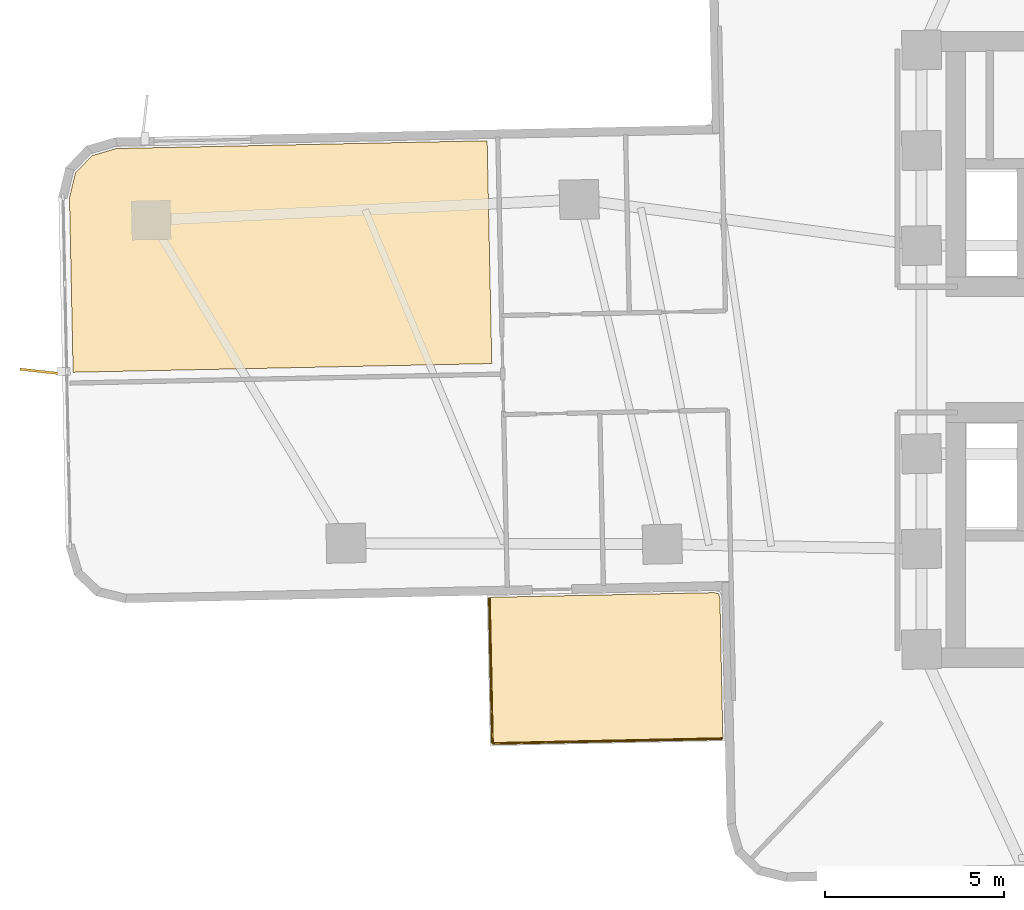
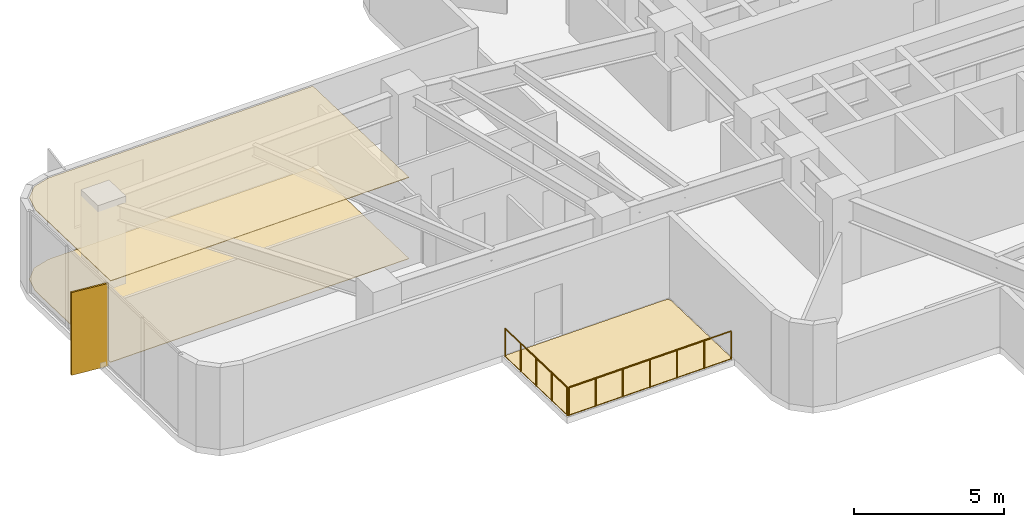
# One storey, part 12 of 15: 3 coverings, 2 railings, 1 shading device.
"""IFC4 building model written with IfcOpenShell, lengths in metres."""

from ifc_helpers import new_model, si_unit, direction, frame, origin, origin_2d, place, context, subcontext, project, spatial, polyline, rectangle, circle, outline, extrude, material, layer, layer_set, type_object, element, save


model = new_model("IFC4")

# Units and contexts
model_context = context("Model", 3, precision=1e-05, world=origin(), true_north=direction((0.0, 1.0)))
body_context = subcontext(model_context, "Body", "Model", "MODEL_VIEW")
ifc_project = project(units=[si_unit("LENGTHUNIT", "METRE"), si_unit("AREAUNIT", "SQUARE_METRE"), si_unit("VOLUMEUNIT", "CUBIC_METRE"), si_unit("PLANEANGLEUNIT", "RADIAN"), si_unit("MASSUNIT", "GRAM", prefix="KILO")], contexts=[model_context])

# Site, building, storey
site_placement = place(None, origin())
site = spatial("IfcSite", under=ifc_project, at=site_placement, CompositionType="ELEMENT")
building_placement = place(site_placement, origin())
building = spatial("IfcBuilding", under=site, at=building_placement, Name="Solmarez Civic Tower", CompositionType="ELEMENT")
storey_placement = place(building_placement, frame((0.0, 0.0, 38.8798828125)))
storey = spatial("IfcBuildingStorey", under=building, at=storey_placement, Name="L09", CompositionType="ELEMENT", Elevation=38.8798828125)

# Coverings
ifc_material_1 = material(Name="Perforated Mineral-Fibre Acoustic Ceiling")
ifc_layer_1 = layer(ifc_material_1, 0.02490234375)
ifc_layer_set_1 = layer_set([ifc_layer_1], Name="Perforated Mineral-Fibre Acoustic Ceiling")
covering_type_1 = type_object("IfcCoveringType", Name="COV-CEIL-ACOUSTIC", PredefinedType="CEILING", material=ifc_layer_set_1)
covering_1_placement = place(storey_placement, frame((0.0, 0.0, 3.315185546875)))
element("IfcCovering", 1, at=covering_1_placement, inside=storey, type_object=covering_type_1, Name="L09 Suspended Acoustic Ceiling 1", PredefinedType="CEILING", context=body_context, shape_type="SweptSolid", body=[
    extrude(outline(polyline([(-20.9560546875, 5.822021484375), (-31.283935546875, 5.60595703125), (-31.965087890625, 5.407958984375), (-32.427001953125, 4.926025390625), (-32.594970703125, 4.239013671875), (-32.493896484375, -0.6298828125), (-20.826904296875, -0.386962890625), (-20.9560546875, 5.822021484375)])), origin(), (0.0, 0.0, 1.0), 0.02490234375),
])
ifc_material_2 = material(Name="Polished Tropical Stone Terrazzo Flooring", Category="masonry")
ifc_layer_2 = layer(ifc_material_2, 0.02001953125)
ifc_layer_set_2 = layer_set([ifc_layer_2], Name="Polished Tropical Stone Terrazzo Flooring")
covering_type_2 = type_object("IfcCoveringType", Name="COV-FLOOR-TERRAZZO", PredefinedType="FLOORING", material=ifc_layer_set_2)
covering_2_placement = place(storey_placement, origin())
element("IfcCovering", 2, at=covering_2_placement, inside=storey, type_object=covering_type_2, Name="L09 Terrazzo Floor Finish 1", PredefinedType="FLOORING", context=body_context, shape_type="SweptSolid", body=[
    extrude(outline(polyline([(-20.9560546875, 5.822021484375), (-31.283935546875, 5.60595703125), (-31.965087890625, 5.407958984375), (-32.427001953125, 4.926025390625), (-32.594970703125, 4.239013671875), (-32.493896484375, -0.6298828125), (-20.826904296875, -0.386962890625), (-20.9560546875, 5.822021484375)])), origin(), (0.0, 0.0, 1.0), 0.02001953125),
])
ifc_material_3 = material(Name="Elastomeric Terrace Waterproofing Membrane")
ifc_layer_3 = layer(ifc_material_3, 0.030029296875)
ifc_layer_set_3 = layer_set([ifc_layer_3], Name="Elastomeric Terrace Waterproofing Membrane")
covering_type_3 = type_object("IfcCoveringType", Name="COV-MEMBRANE-ROOF", PredefinedType="ROOFING", material=ifc_layer_set_3)
covering_3_placement = place(storey_placement, origin())
element("IfcCovering", 3, at=covering_3_placement, inside=storey, type_object=covering_type_3, Name="L09 Balcony Waterproofing SW", PredefinedType="ROOFING", context=body_context, shape_type="SweptSolid", body=[
    extrude(outline(polyline([(-14.469970703125, -6.923095703125), (-14.506103515625, -6.800048828125), (-14.631103515625, -6.77001953125), (-20.89990234375, -6.90087890625), (-20.81396484375, -10.97900390625), (-14.387939453125, -10.843017578125), (-14.469970703125, -6.923095703125)])), origin(), (0.0, 0.0, 1.0), 0.030029296875),
])

# Shading device
ifc_material_4 = material(Name="Bronze Anodised Aluminium EN AW-6063 T6", Category="aluminium")
ifc_layer_4 = layer(ifc_material_4, 0.06494140625)
ifc_layer_set_4 = layer_set([ifc_layer_4], Name="Bronze Anodised Aluminium EN AW-6063 T6")
shading_device_type = type_object("IfcShadingDeviceType", Name="FIN-BRONZE-Z12", PredefinedType="USERDEFINED", material=ifc_layer_set_4)
shading_device_placement = place(storey_placement, frame((-33.299072265625, -0.617919921875, -0.039794921875), z_axis=(0.0, 0.0, 1.0), x_axis=(-0.994031611525, 0.109092416276, 0.0)))
element("IfcShadingDevice", 4, at=shading_device_placement, inside=storey, type_object=shading_device_type, Name="L09 Anodised Bronze Solar Fin FIN-L09-01", ObjectType="FIN", PredefinedType="USERDEFINED", context=body_context, shape_type="SweptSolid", body=[
    extrude(rectangle(XDim=1.35009765625, YDim=0.06494140625, at=origin_2d()), origin(), (0.0, 0.0, 1.0), 3.3798828125),
])

# Railings
ifc_material_5 = material(Name="Bronze Anodised Aluminium and Laminated Safety Glass Balustrade", Category="aluminium")
railing_type = type_object("IfcRailingType", Name="GUARD-TERR-1180", PredefinedType="BALUSTRADE", material=ifc_material_5)
railing_1_placement = place(storey_placement, frame((-20.89892578125, -6.93603515625, 0.0)))
element("IfcRailing", 5, at=railing_1_placement, inside=storey, type_object=railing_type, Name="L09 Safety Balustrade GRD-BALC-L09-SW-1", PredefinedType="BALUSTRADE", context=body_context, shape_type="SweptSolid", body=[
    extrude(circle(Radius=0.02392578125, at=origin_2d()), frame((0.0, 0.0, 1.15576171875), z_axis=(0.020949290711, -0.999780539528, 0.0), x_axis=(0.999780539528, 0.020949290711, 0.0)), (0.0, 0.0, 1.0), 4.009033203125),
    extrude(circle(Radius=0.02099609375, at=origin_2d()), origin(), (0.0, 0.0, 1.0), 1.1318359375),
    extrude(circle(Radius=0.02099609375, at=origin_2d()), frame((0.02099609375, -1.001953125, 0.0)), (0.0, 0.0, 1.0), 1.1318359375),
    extrude(circle(Radius=0.02099609375, at=origin_2d()), frame((0.0419921875, -2.00390625, 0.0)), (0.0, 0.0, 1.0), 1.1318359375),
    extrude(circle(Radius=0.02099609375, at=origin_2d()), frame((0.06298828125, -3.006103515625, 0.0)), (0.0, 0.0, 1.0), 1.1318359375),
    extrude(circle(Radius=0.02099609375, at=origin_2d()), frame((0.083984375, -4.008056640625, 0.0)), (0.0, 0.0, 1.0), 1.1318359375),
])
railing_2_placement = place(storey_placement, frame((-20.779052734375, -10.97802734375, 0.0)))
element("IfcRailing", 6, at=railing_2_placement, inside=storey, type_object=railing_type, Name="L09 Safety Balustrade GRD-BALC-L09-SW-2", PredefinedType="BALUSTRADE", context=body_context, shape_type="SweptSolid", body=[
    extrude(circle(Radius=0.02392578125, at=origin_2d()), frame((0.0, 0.0, 1.15576171875), z_axis=(0.999777726302, 0.021083120986, 0.0), x_axis=(-0.021083120986, 0.999777726302, 0.0)), (0.0, 0.0, 1.0), 6.357421875),
    extrude(circle(Radius=0.02099609375, at=origin_2d()), origin(), (0.0, 0.0, 1.0), 1.1318359375),
    extrude(circle(Radius=0.02099609375, at=origin_2d()), frame((1.059326171875, 0.0224609375, 0.0)), (0.0, 0.0, 1.0), 1.1318359375),
    extrude(circle(Radius=0.02099609375, at=origin_2d()), frame((2.11865234375, 0.044677734375, 0.0)), (0.0, 0.0, 1.0), 1.1318359375),
    extrude(circle(Radius=0.02099609375, at=origin_2d()), frame((3.177978515625, 0.06689453125, 0.0)), (0.0, 0.0, 1.0), 1.1318359375),
    extrude(circle(Radius=0.02099609375, at=origin_2d()), frame((4.2373046875, 0.08935546875, 0.0)), (0.0, 0.0, 1.0), 1.1318359375),
    extrude(circle(Radius=0.02099609375, at=origin_2d()), frame((5.296630859375, 0.11181640625, 0.0)), (0.0, 0.0, 1.0), 1.1318359375),
    extrude(circle(Radius=0.02099609375, at=origin_2d()), frame((6.35595703125, 0.134033203125, 0.0)), (0.0, 0.0, 1.0), 1.1318359375),
])

save(model, "model.ifc")
